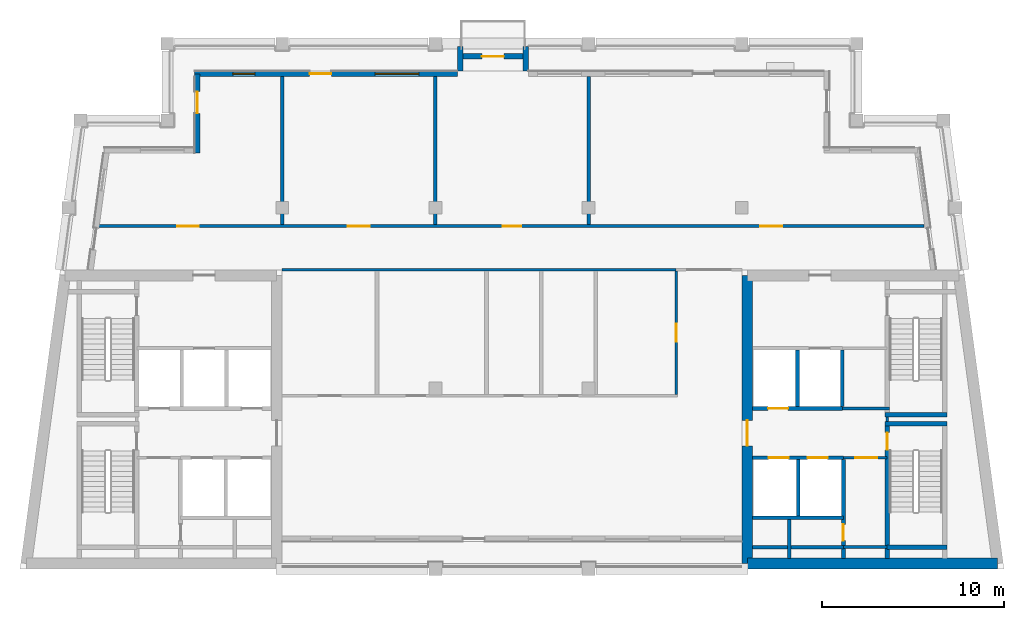
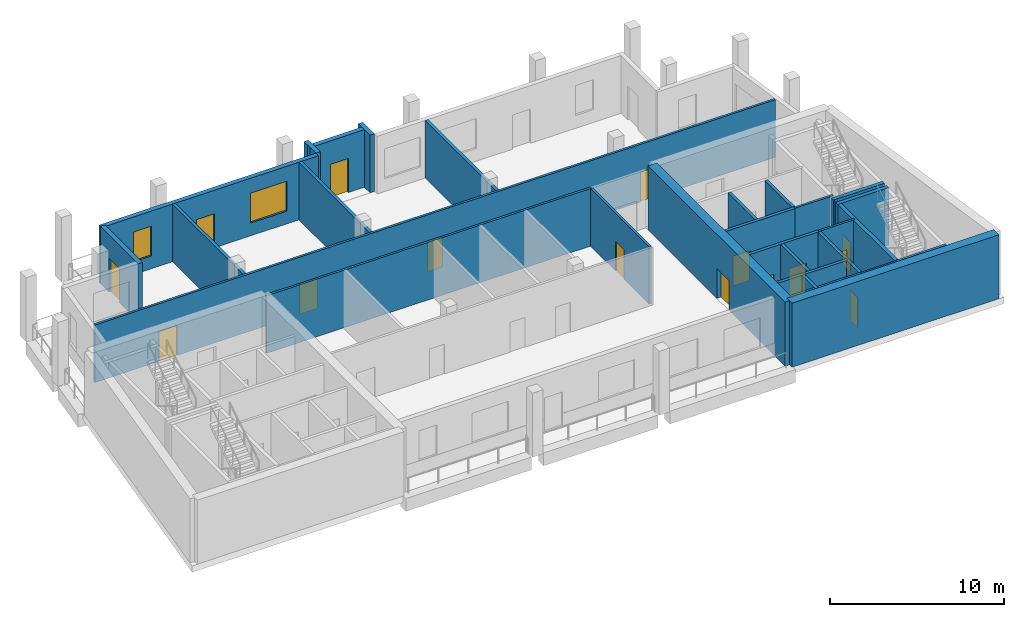
# One storey, part 3 of 9: 30 walls, 15 doors, 2 windows, 17 openings.
"""IFC4 building model written with IfcOpenShell, lengths in metres."""

from ifc_helpers import new_model, si_unit, direction, frame, frame_2d, origin, place, context, subcontext, project, spatial, rectangle, extrude, material, layer, layer_set, type_object, element, fill, save


model = new_model("IFC4")

# Units and contexts
model_context = context("Model", 3, precision=1e-05, world=origin(), true_north=direction((0.0, 1.0)))
body_context = subcontext(model_context, "Body", "Model", "MODEL_VIEW")
ifc_project = project(units=[si_unit("LENGTHUNIT", "METRE"), si_unit("AREAUNIT", "SQUARE_METRE"), si_unit("VOLUMEUNIT", "CUBIC_METRE"), si_unit("PLANEANGLEUNIT", "RADIAN"), si_unit("MASSUNIT", "GRAM", prefix="KILO")], contexts=[model_context])

# Site, building, storey
site_placement = place(None, origin())
site = spatial("IfcSite", under=ifc_project, at=site_placement, CompositionType="ELEMENT")
building_placement = place(site_placement, origin())
building = spatial("IfcBuilding", under=site, at=building_placement, Name="Candeia Pilgrim Tower and Theatre", CompositionType="ELEMENT")
storey_placement = place(building_placement, frame((0.0, 0.0, 303.39990234375)))
storey = spatial("IfcBuildingStorey", under=building, at=storey_placement, Name="L74", CompositionType="ELEMENT", Elevation=303.39990234375)

# Wall
ifc_material_1 = material(Name="Concrete C40/50", Category="concrete")
ifc_layer_1 = layer(ifc_material_1, 0.60009765625)
ifc_layer_set_1 = layer_set([ifc_layer_1], Name="Core wall 600 C40/50")
wall_type_1 = type_object("IfcWallType", Name="Core wall 600 C40/50", PredefinedType="SHEAR", material=ifc_layer_set_1)
wall_1_placement = place(storey_placement, frame((140.033935546875, 116.300048828125, 0.0), z_axis=(0.0, 0.0, 1.0), x_axis=(-1.0, 0.0, 0.0)))
element("IfcWall", 1, at=wall_1_placement, inside=storey, type_object=wall_type_1, Name="Core wall E3", PredefinedType="SHEAR", context=body_context, shape_type="SweptSolid", body=[
    extrude(rectangle(XDim=13.73388671875, YDim=0.60009765625, at=frame_2d((6.866943359375, 0.0))), origin(), (0.0, 0.0, 1.0), 4.5),
])

# Wall, opening, door
wall_2_placement = place(storey_placement, frame((126.300048828125, 116.300048828125, 0.0), z_axis=(0.0, 0.0, 1.0), x_axis=(0.0, 1.0, 0.0)))
wall_2 = element("IfcWall", 2, at=wall_2_placement, inside=storey, type_object=wall_type_1, Name="Core wall E4", PredefinedType="SHEAR", context=body_context, shape_type="SweptSolid", body=[
    extrude(rectangle(XDim=15.800048828125, YDim=0.60009765625, at=frame_2d((7.89990234375, 0.0))), origin(), (0.0, 0.0, 1.0), 4.5),
])
opening_1_placement = place(wall_2_placement, frame((6.449951171875, 0.0, 0.0)))
opening_1 = element("IfcOpeningElement", 3, at=opening_1_placement, cuts=wall_2, Name="Opening L74-D022", PredefinedType="OPENING", context=body_context, shape_type="SweptSolid", body=[
    extrude(rectangle(XDim=1.39990234375, YDim=2.10009765625, at=frame_2d((0.699951171875, 1.050048828125))), frame((0.0, 0.31005859375, 0.0), z_axis=(0.0, -1.0, 0.0), x_axis=(1.0, 0.0, 0.0)), (0.0, 0.0, 1.0), 0.6201171875),
])
ifc_material_2 = material(Name="Steel fire door set", Category="steel")
door_type_1 = type_object("IfcDoorType", Name="D-1400-FD60", OperationType="NOTDEFINED", PredefinedType="DOOR", material=ifc_material_2)
door_1_placement = place(opening_1_placement, origin())
door_1 = element("IfcDoor", 4, at=door_1_placement, inside=storey, type_object=door_type_1, Name="Door L74-D022", OperationType="SINGLE_SWING_LEFT", OverallHeight=2.10009765625, OverallWidth=1.39990234375, PredefinedType="DOOR", context=body_context, shape_type="SweptSolid", body=[
    extrude(rectangle(XDim=1.39990234375, YDim=2.10009765625, at=frame_2d((0.699951171875, 1.050048828125))), frame((0.0, 0.02490234375, 0.0), z_axis=(0.0, -1.0, 0.0), x_axis=(1.0, 0.0, 0.0)), (0.0, 0.0, 1.0), 0.050048828125),
])
fill(opening_1, door_1)

# Wall, openings, door, windows
ifc_material_3 = material(Name="Ceramic block masonry", Category="masonry")
ifc_layer_2 = layer(ifc_material_3, 0.300048828125)
ifc_layer_set_2 = layer_set([ifc_layer_2], Name="EW1 glazing-line wall 300")
wall_type_2 = type_object("IfcWallType", Name="EW1 glazing-line wall 300", PredefinedType="SOLIDWALL", material=ifc_layer_set_2)
wall_3_placement = place(storey_placement, frame((110.39990234375, 143.14990234375, 0.0), z_axis=(0.0, 0.0, 1.0), x_axis=(-1.0, 0.0, 0.0)))
wall_3 = element("IfcWall", 5, at=wall_3_placement, inside=storey, type_object=wall_type_2, Name="External wall L74-5.1", PredefinedType="SOLIDWALL", context=body_context, shape_type="SweptSolid", body=[
    extrude(rectangle(XDim=14.39990234375, YDim=0.300048828125, at=frame_2d((7.199951171875, 0.0))), origin(), (0.0, 0.0, 1.0), 4.050048828125),
])
opening_2_placement = place(wall_3_placement, frame((2.10009765625, 0.0, 0.89990234375)))
opening_2 = element("IfcOpeningElement", 6, at=opening_2_placement, cuts=wall_3, Name="Opening W-A", PredefinedType="OPENING", context=body_context, shape_type="SweptSolid", body=[
    extrude(rectangle(XDim=2.39990234375, YDim=2.10009765625, at=frame_2d((1.199951171875, 1.050048828125))), frame((0.0, 0.16015625, 0.0), z_axis=(0.0, -1.0, 0.0), x_axis=(1.0, 0.0, 0.0)), (0.0, 0.0, 1.0), 0.320068359375),
])
opening_3_placement = place(wall_3_placement, frame((6.89990234375, 0.0, 0.0)))
opening_3 = element("IfcOpeningElement", 7, at=opening_3_placement, cuts=wall_3, Name="Opening L74-ED688", PredefinedType="OPENING", context=body_context, shape_type="SweptSolid", body=[
    extrude(rectangle(XDim=1.199951171875, YDim=2.39990234375, at=frame_2d((0.60009765625, 1.199951171875))), frame((0.0, 0.16015625, 0.0), z_axis=(0.0, -1.0, 0.0), x_axis=(1.0, 0.0, 0.0)), (0.0, 0.0, 1.0), 0.320068359375),
])
opening_4_placement = place(wall_3_placement, frame((11.10009765625, 0.0, 0.89990234375)))
opening_4 = element("IfcOpeningElement", 8, at=opening_4_placement, cuts=wall_3, Name="Opening W-B", PredefinedType="OPENING", context=body_context, shape_type="SweptSolid", body=[
    extrude(rectangle(XDim=1.199951171875, YDim=2.10009765625, at=frame_2d((0.60009765625, 1.050048828125))), frame((0.0, 0.16015625, 0.0), z_axis=(0.0, -1.0, 0.0), x_axis=(1.0, 0.0, 0.0)), (0.0, 0.0, 1.0), 0.320068359375),
])
ifc_material_4 = material(Name="Aluminium framed glazed door", Category="aluminium")
door_type_2 = type_object("IfcDoorType", Name="Loggia door 1200x2400", OperationType="DOUBLE_DOOR_SINGLE_SWING", PredefinedType="DOOR", material=ifc_material_4)
door_2_placement = place(opening_3_placement, origin())
door_2 = element("IfcDoor", 9, at=door_2_placement, inside=storey, type_object=door_type_2, Name="Loggia door L74-ED688", OperationType="DOUBLE_DOOR_SINGLE_SWING", OverallHeight=2.39990234375, OverallWidth=1.199951171875, PredefinedType="DOOR", context=body_context, shape_type="SweptSolid", body=[
    extrude(rectangle(XDim=1.199951171875, YDim=2.39990234375, at=frame_2d((0.60009765625, 1.199951171875))), frame((0.0, 0.02490234375, 0.0), z_axis=(0.0, -1.0, 0.0), x_axis=(1.0, 0.0, 0.0)), (0.0, 0.0, 1.0), 0.050048828125),
])
fill(opening_3, door_2)
ifc_material_5 = material(Name="Aluminium framed double glazing", Category="aluminium")
window_type_1 = type_object("IfcWindowType", Name="W-A window 2400x2100", PartitioningType="DOUBLE_PANEL_VERTICAL", PredefinedType="WINDOW", material=ifc_material_5)
window_1_placement = place(opening_2_placement, origin())
window_1 = element("IfcWindow", 10, at=window_1_placement, inside=storey, type_object=window_type_1, Name="Window W-A L74", OverallHeight=2.10009765625, OverallWidth=2.39990234375, PartitioningType="SINGLE_PANEL", PredefinedType="WINDOW", context=body_context, shape_type="SweptSolid", body=[
    extrude(rectangle(XDim=2.39990234375, YDim=2.10009765625, at=frame_2d((1.199951171875, 1.050048828125))), frame((0.0, 0.030029296875, 0.0), z_axis=(0.0, -1.0, 0.0), x_axis=(1.0, 0.0, 0.0)), (0.0, 0.0, 1.0), 0.06005859375),
])
fill(opening_2, window_1)
window_type_2 = type_object("IfcWindowType", Name="W-B window 1200x2100", PartitioningType="SINGLE_PANEL", PredefinedType="WINDOW", material=ifc_material_5)
window_2_placement = place(opening_4_placement, origin())
window_2 = element("IfcWindow", 11, at=window_2_placement, inside=storey, type_object=window_type_2, Name="Window W-B L74", OverallHeight=2.10009765625, OverallWidth=1.199951171875, PartitioningType="SINGLE_PANEL", PredefinedType="WINDOW", context=body_context, shape_type="SweptSolid", body=[
    extrude(rectangle(XDim=1.199951171875, YDim=2.10009765625, at=frame_2d((0.60009765625, 1.050048828125))), frame((0.0, 0.030029296875, 0.0), z_axis=(0.0, -1.0, 0.0), x_axis=(1.0, 0.0, 0.0)), (0.0, 0.0, 1.0), 0.06005859375),
])
fill(opening_4, window_2)

# Wall, opening, door
wall_4_placement = place(storey_placement, frame((96.14990234375, 143.14990234375, 0.0), z_axis=(0.0, 0.0, 1.0), x_axis=(0.0, -1.0, 0.0)))
wall_4 = element("IfcWall", 12, at=wall_4_placement, inside=storey, type_object=wall_type_2, Name="External wall L74-6.0", PredefinedType="SOLIDWALL", context=body_context, shape_type="SweptSolid", body=[
    extrude(rectangle(XDim=4.349853515625, YDim=0.300048828125, at=frame_2d((2.1748046875, 0.0))), origin(), (0.0, 0.0, 1.0), 4.050048828125),
])
opening_5_placement = place(wall_4_placement, frame((0.97509765625, 0.0, 0.0)))
opening_5 = element("IfcOpeningElement", 13, at=opening_5_placement, cuts=wall_4, Name="Opening L74-ED690", PredefinedType="OPENING", context=body_context, shape_type="SweptSolid", body=[
    extrude(rectangle(XDim=1.199951171875, YDim=2.39990234375, at=frame_2d((0.60009765625, 1.199951171875))), frame((0.0, 0.16015625, 0.0), z_axis=(0.0, -1.0, 0.0), x_axis=(1.0, 0.0, 0.0)), (0.0, 0.0, 1.0), 0.320068359375),
])
door_3_placement = place(opening_5_placement, origin())
door_3 = element("IfcDoor", 14, at=door_3_placement, inside=storey, type_object=door_type_2, Name="Loggia door L74-ED690", OperationType="DOUBLE_DOOR_SINGLE_SWING", OverallHeight=2.39990234375, OverallWidth=1.199951171875, PredefinedType="DOOR", context=body_context, shape_type="SweptSolid", body=[
    extrude(rectangle(XDim=1.199951171875, YDim=2.39990234375, at=frame_2d((0.60009765625, 1.199951171875))), frame((0.0, 0.02490234375, 0.0), z_axis=(0.0, -1.0, 0.0), x_axis=(1.0, 0.0, 0.0)), (0.0, 0.0, 1.0), 0.050048828125),
])
fill(opening_5, door_3)

# Walls
ifc_layer_3 = layer(ifc_material_3, 0.300048828125)
ifc_layer_set_3 = layer_set([ifc_layer_3], Name="EW2 entrance infill wall 300")
wall_type_3 = type_object("IfcWallType", Name="EW2 entrance infill wall 300", PredefinedType="SOLIDWALL", material=ifc_layer_set_3)
for number, where, z_axis, x_axis, name in (
    (15, (114.14990234375, 143.300048828125, 0.0), (0.0, 0.0, 1.0), (0.0, 1.0, 0.0), "Alcove wall L74"),
    (16, (110.550048828125, 143.300048828125, 0.0), (0.0, 0.0, 1.0), (0.0, 1.0, 0.0), "Alcove wall L74"),
):
    element("IfcWall", number, at=place(storey_placement, frame(where, z_axis=z_axis, x_axis=x_axis)), inside=storey, type_object=wall_type_3, Name=name, PredefinedType="SOLIDWALL", context=body_context, shape_type="SweptSolid", body=[
        extrude(rectangle(XDim=1.349853515625, YDim=0.300048828125, at=frame_2d((0.6748046875, 0.0))), origin(), (0.0, 0.0, 1.0), 4.050048828125),
    ])

# Wall, opening, door
wall_5_placement = place(storey_placement, frame((114.300048828125, 144.10009765625, 0.0), z_axis=(0.0, 0.0, 1.0), x_axis=(-1.0, 0.0, 0.0)))
wall_5 = element("IfcWall", 17, at=wall_5_placement, inside=storey, type_object=wall_type_3, Name="Alcove wall L74", PredefinedType="SOLIDWALL", context=body_context, shape_type="SweptSolid", body=[
    extrude(rectangle(XDim=3.900146484375, YDim=0.300048828125, at=frame_2d((1.9501953125, 0.0))), origin(), (0.0, 0.0, 1.0), 4.050048828125),
])
opening_6_placement = place(wall_5_placement, frame((1.35009765625, 0.0, 0.0)))
opening_6 = element("IfcOpeningElement", 18, at=opening_6_placement, cuts=wall_5, Name="Opening L74-ED689", PredefinedType="OPENING", context=body_context, shape_type="SweptSolid", body=[
    extrude(rectangle(XDim=1.199951171875, YDim=2.39990234375, at=frame_2d((0.60009765625, 1.199951171875))), frame((0.0, 0.16015625, 0.0), z_axis=(0.0, -1.0, 0.0), x_axis=(1.0, 0.0, 0.0)), (0.0, 0.0, 1.0), 0.320068359375),
])
door_4_placement = place(opening_6_placement, origin())
door_4 = element("IfcDoor", 19, at=door_4_placement, inside=storey, type_object=door_type_2, Name="Balcony door L74-ED689", OperationType="DOUBLE_DOOR_SINGLE_SWING", OverallHeight=2.39990234375, OverallWidth=1.199951171875, PredefinedType="DOOR", context=body_context, shape_type="SweptSolid", body=[
    extrude(rectangle(XDim=1.199951171875, YDim=2.39990234375, at=frame_2d((0.60009765625, 1.199951171875))), frame((0.0, 0.02490234375, 0.0), z_axis=(0.0, -1.0, 0.0), x_axis=(1.0, 0.0, 0.0)), (0.0, 0.0, 1.0), 0.050048828125),
])
fill(opening_6, door_4)

# Wall
ifc_material_6 = material(Name="Gypsum board partition on steel studs", Category="steel")
ifc_layer_4 = layer(ifc_material_6, 0.14990234375)
ifc_layer_set_4 = layer_set([ifc_layer_4], Name="PW-150 lobby wall")
wall_type_4 = type_object("IfcWallType", Name="PW-150 lobby wall", PredefinedType="PARTITIONING", material=ifc_layer_set_4)
wall_6_placement = place(storey_placement, frame((131.572998046875, 117.199951171875, 0.0), z_axis=(0.0, 0.0, 1.0), x_axis=(1.0, 0.0, 0.0)))
element("IfcWall", 20, at=wall_6_placement, inside=storey, type_object=wall_type_4, Name="Lobby wall L74-004", PredefinedType="PARTITIONING", context=body_context, shape_type="SweptSolid", body=[
    extrude(rectangle(XDim=2.39990234375, YDim=0.14990234375, at=frame_2d((1.199951171875, 0.0))), origin(), (0.0, 0.0, 1.0), 4.050048828125),
])

# Wall, opening, door
wall_7_placement = place(storey_placement, frame((131.572998046875, 122.10009765625, 0.0), z_axis=(0.0, 0.0, 1.0), x_axis=(1.0, 0.0, 0.0)))
wall_7 = element("IfcWall", 21, at=wall_7_placement, inside=storey, type_object=wall_type_4, Name="Lobby wall L74-012", PredefinedType="PARTITIONING", context=body_context, shape_type="SweptSolid", body=[
    extrude(rectangle(XDim=2.39990234375, YDim=0.14990234375, at=frame_2d((1.199951171875, 0.0))), origin(), (0.0, 0.0, 1.0), 4.050048828125),
])
opening_7_placement = place(wall_7_placement, frame((0.64990234375, 0.0, 0.0)))
opening_7 = element("IfcOpeningElement", 22, at=opening_7_placement, cuts=wall_7, Name="Opening L74-D015", PredefinedType="OPENING", context=body_context, shape_type="SweptSolid", body=[
    extrude(rectangle(XDim=1.199951171875, YDim=2.10009765625, at=frame_2d((0.60009765625, 1.050048828125))), frame((0.0, 0.0849609375, 0.0), z_axis=(0.0, -1.0, 0.0), x_axis=(1.0, 0.0, 0.0)), (0.0, 0.0, 1.0), 0.169921875),
])
door_type_3 = type_object("IfcDoorType", Name="D-1200-FD60", OperationType="NOTDEFINED", PredefinedType="DOOR", material=ifc_material_2)
door_5_placement = place(opening_7_placement, origin())
door_5 = element("IfcDoor", 23, at=door_5_placement, inside=storey, type_object=door_type_3, Name="Door L74-D015", OperationType="SINGLE_SWING_RIGHT", OverallHeight=2.10009765625, OverallWidth=1.199951171875, PredefinedType="DOOR", context=body_context, shape_type="SweptSolid", body=[
    extrude(rectangle(XDim=1.199951171875, YDim=2.10009765625, at=frame_2d((0.60009765625, 1.050048828125))), frame((0.0, 0.02490234375, 0.0), z_axis=(0.0, -1.0, 0.0), x_axis=(1.0, 0.0, 0.0)), (0.0, 0.0, 1.0), 0.050048828125),
])
fill(opening_7, door_5)

# Wall
wall_8_placement = place(storey_placement, frame((131.515380859375, 124.800048828125, 0.0), z_axis=(0.0, 0.0, 1.0), x_axis=(1.0, 0.0, 0.0)))
element("IfcWall", 24, at=wall_8_placement, inside=storey, type_object=wall_type_4, Name="Lobby wall L74-019", PredefinedType="PARTITIONING", context=body_context, shape_type="SweptSolid", body=[
    extrude(rectangle(XDim=2.58251953125, YDim=0.14990234375, at=frame_2d((1.291259765625, 0.0))), origin(), (0.0, 0.0, 1.0), 4.050048828125),
])

# Wall, opening, door
wall_9_placement = place(storey_placement, frame((122.39990234375, 125.574951171875, 0.0), z_axis=(0.0, 0.0, 1.0), x_axis=(0.0, 1.0, 0.0)))
wall_9 = element("IfcWall", 25, at=wall_9_placement, inside=storey, type_object=wall_type_4, Name="Lobby wall L74-046", PredefinedType="PARTITIONING", context=body_context, shape_type="SweptSolid", body=[
    extrude(rectangle(XDim=6.75, YDim=0.14990234375, at=frame_2d((3.375, 0.0))), origin(), (0.0, 0.0, 1.0), 4.050048828125),
])
opening_8_placement = place(wall_9_placement, frame((2.875, 0.0, 0.0)))
opening_8 = element("IfcOpeningElement", 26, at=opening_8_placement, cuts=wall_9, Name="Opening L74-D006", PredefinedType="OPENING", context=body_context, shape_type="SweptSolid", body=[
    extrude(rectangle(XDim=1.0, YDim=2.10009765625, at=frame_2d((0.5, 1.050048828125))), frame((0.0, 0.0849609375, 0.0), z_axis=(0.0, -1.0, 0.0), x_axis=(1.0, 0.0, 0.0)), (0.0, 0.0, 1.0), 0.169921875),
])
door_type_4 = type_object("IfcDoorType", Name="D-1000-FD30S", OperationType="NOTDEFINED", PredefinedType="DOOR", material=ifc_material_2)
door_6_placement = place(opening_8_placement, origin())
door_6 = element("IfcDoor", 27, at=door_6_placement, inside=storey, type_object=door_type_4, Name="Door L74-D006", OperationType="SINGLE_SWING_RIGHT", OverallHeight=2.10009765625, OverallWidth=1.0, PredefinedType="DOOR", context=body_context, shape_type="SweptSolid", body=[
    extrude(rectangle(XDim=1.0, YDim=2.10009765625, at=frame_2d((0.5, 1.050048828125))), frame((0.0, 0.02490234375, 0.0), z_axis=(0.0, -1.0, 0.0), x_axis=(1.0, 0.0, 0.0)), (0.0, 0.0, 1.0), 0.050048828125),
])
fill(opening_8, door_6)

# Walls
wall_10_placement = place(storey_placement, frame((133.972900390625, 124.074951171875, 0.0), z_axis=(0.0, 0.0, 1.0), x_axis=(0.0, 1.0, 0.0)))
element("IfcWall", 28, at=wall_10_placement, inside=storey, type_object=wall_type_4, Name="Lobby wall L74-052", PredefinedType="PARTITIONING", context=body_context, shape_type="SweptSolid", body=[
    extrude(rectangle(XDim=0.25, YDim=0.14990234375, at=frame_2d((0.125, 0.0))), origin(), (0.0, 0.0, 1.0), 4.050048828125),
])
ifc_layer_5 = layer(ifc_material_6, 0.14990234375)
ifc_layer_set_5 = layer_set([ifc_layer_5], Name="PW-150 unit wall")
wall_type_5 = type_object("IfcWallType", Name="PW-150 unit wall", PredefinedType="PARTITIONING", material=ifc_layer_set_5)
wall_11_placement = place(storey_placement, frame((100.800048828125, 132.39990234375, 0.0), z_axis=(0.0, 0.0, 1.0), x_axis=(1.0, 0.0, 0.0)))
element("IfcWall", 29, at=wall_11_placement, inside=storey, type_object=wall_type_5, Name="Unit wall L74-027", PredefinedType="PARTITIONING", context=body_context, shape_type="SweptSolid", body=[
    extrude(rectangle(XDim=21.599853515625, YDim=0.14990234375, at=frame_2d((10.7998046875, 0.0))), origin(), (0.0, 0.0, 1.0), 4.050048828125),
])

# Wall, openings, doors
wall_12_placement = place(storey_placement, frame((90.760009765625, 134.800048828125, 0.0), z_axis=(0.0, 0.0, 1.0), x_axis=(1.0, 0.0, 0.0)))
wall_12 = element("IfcWall", 30, at=wall_12_placement, inside=storey, type_object=wall_type_5, Name="Unit wall L74-028", PredefinedType="PARTITIONING", context=body_context, shape_type="SweptSolid", body=[
    extrude(rectangle(XDim=45.239990234375, YDim=0.14990234375, at=frame_2d((22.6201171875, 0.0))), origin(), (0.0, 0.0, 1.0), 4.050048828125),
])
opening_9_placement = place(wall_12_placement, frame((13.639892578125, 0.0, 0.0)))
opening_9 = element("IfcOpeningElement", 31, at=opening_9_placement, cuts=wall_12, Name="Opening L74-D007", PredefinedType="OPENING", context=body_context, shape_type="SweptSolid", body=[
    extrude(rectangle(XDim=1.199951171875, YDim=2.10009765625, at=frame_2d((0.60009765625, 1.050048828125))), frame((0.0, 0.0849609375, 0.0), z_axis=(0.0, -1.0, 0.0), x_axis=(1.0, 0.0, 0.0)), (0.0, 0.0, 1.0), 0.169921875),
])
opening_10_placement = place(wall_12_placement, frame((22.139892578125, 0.0, 0.0)))
opening_10 = element("IfcOpeningElement", 32, at=opening_10_placement, cuts=wall_12, Name="Opening L74-D008", PredefinedType="OPENING", context=body_context, shape_type="SweptSolid", body=[
    extrude(rectangle(XDim=1.0, YDim=2.10009765625, at=frame_2d((0.5, 1.050048828125))), frame((0.0, 0.0849609375, 0.0), z_axis=(0.0, -1.0, 0.0), x_axis=(1.0, 0.0, 0.0)), (0.0, 0.0, 1.0), 0.169921875),
])
opening_11_placement = place(wall_12_placement, frame((4.27392578125, 0.0, 0.0)))
opening_11 = element("IfcOpeningElement", 33, at=opening_11_placement, cuts=wall_12, Name="Opening L74-D009", PredefinedType="OPENING", context=body_context, shape_type="SweptSolid", body=[
    extrude(rectangle(XDim=1.199951171875, YDim=2.10009765625, at=frame_2d((0.60009765625, 1.050048828125))), frame((0.0, 0.0849609375, 0.0), z_axis=(0.0, -1.0, 0.0), x_axis=(1.0, 0.0, 0.0)), (0.0, 0.0, 1.0), 0.169921875),
])
opening_12_placement = place(wall_12_placement, frame((36.264892578125, 0.0, 0.0)))
opening_12 = element("IfcOpeningElement", 34, at=opening_12_placement, cuts=wall_12, Name="Opening L74-D010", PredefinedType="OPENING", context=body_context, shape_type="SweptSolid", body=[
    extrude(rectangle(XDim=1.199951171875, YDim=2.10009765625, at=frame_2d((0.60009765625, 1.050048828125))), frame((0.0, 0.0849609375, 0.0), z_axis=(0.0, -1.0, 0.0), x_axis=(1.0, 0.0, 0.0)), (0.0, 0.0, 1.0), 0.169921875),
])
door_7_placement = place(opening_10_placement, origin())
door_7 = element("IfcDoor", 35, at=door_7_placement, inside=storey, type_object=door_type_4, Name="Door L74-D008", OperationType="SINGLE_SWING_RIGHT", OverallHeight=2.10009765625, OverallWidth=1.0, PredefinedType="DOOR", context=body_context, shape_type="SweptSolid", body=[
    extrude(rectangle(XDim=1.0, YDim=2.10009765625, at=frame_2d((0.5, 1.050048828125))), frame((0.0, 0.02490234375, 0.0), z_axis=(0.0, -1.0, 0.0), x_axis=(1.0, 0.0, 0.0)), (0.0, 0.0, 1.0), 0.050048828125),
])
fill(opening_10, door_7)
door_type_5 = type_object("IfcDoorType", Name="D-1200-FD30S", OperationType="NOTDEFINED", PredefinedType="DOOR", material=ifc_material_2)
door_8_placement = place(opening_9_placement, origin())
door_8 = element("IfcDoor", 36, at=door_8_placement, inside=storey, type_object=door_type_5, Name="Door L74-D007", OperationType="SINGLE_SWING_LEFT", OverallHeight=2.10009765625, OverallWidth=1.199951171875, PredefinedType="DOOR", context=body_context, shape_type="SweptSolid", body=[
    extrude(rectangle(XDim=1.199951171875, YDim=2.10009765625, at=frame_2d((0.60009765625, 1.050048828125))), frame((0.0, 0.02490234375, 0.0), z_axis=(0.0, -1.0, 0.0), x_axis=(1.0, 0.0, 0.0)), (0.0, 0.0, 1.0), 0.050048828125),
])
fill(opening_9, door_8)
door_9_placement = place(opening_11_placement, origin())
door_9 = element("IfcDoor", 37, at=door_9_placement, inside=storey, type_object=door_type_3, Name="Door L74-D009", OperationType="SINGLE_SWING_LEFT", OverallHeight=2.10009765625, OverallWidth=1.199951171875, PredefinedType="DOOR", context=body_context, shape_type="SweptSolid", body=[
    extrude(rectangle(XDim=1.199951171875, YDim=2.10009765625, at=frame_2d((0.60009765625, 1.050048828125))), frame((0.0, 0.02490234375, 0.0), z_axis=(0.0, -1.0, 0.0), x_axis=(1.0, 0.0, 0.0)), (0.0, 0.0, 1.0), 0.050048828125),
])
fill(opening_11, door_9)
door_10_placement = place(opening_12_placement, origin())
door_10 = element("IfcDoor", 38, at=door_10_placement, inside=storey, type_object=door_type_3, Name="Door L74-D010", OperationType="SINGLE_SWING_RIGHT", OverallHeight=2.10009765625, OverallWidth=1.199951171875, PredefinedType="DOOR", context=body_context, shape_type="SweptSolid", body=[
    extrude(rectangle(XDim=1.199951171875, YDim=2.10009765625, at=frame_2d((0.60009765625, 1.050048828125))), frame((0.0, 0.02490234375, 0.0), z_axis=(0.0, -1.0, 0.0), x_axis=(1.0, 0.0, 0.0)), (0.0, 0.0, 1.0), 0.050048828125),
])
fill(opening_12, door_10)

# Walls
ifc_layer_6 = layer(ifc_material_6, 0.199951171875)
ifc_layer_set_6 = layer_set([ifc_layer_6], Name="PW-200 party wall")
wall_type_6 = type_object("IfcWallType", Name="PW-200 party wall", PredefinedType="PARTITIONING", material=ifc_layer_set_6)
for number, where, z_axis, x_axis, name in (
    (39, (100.800048828125, 134.875, 0.0), (0.0, 0.0, 1.0), (0.0, 1.0, 0.0), "Party wall L74-039"),
    (40, (109.199951171875, 134.875, 0.0), (0.0, 0.0, 1.0), (0.0, 1.0, 0.0), "Party wall L74-041"),
    (41, (117.60009765625, 134.875, 0.0), (0.0, 0.0, 1.0), (0.0, 1.0, 0.0), "Party wall L74-044"),
):
    element("IfcWall", number, at=place(storey_placement, frame(where, z_axis=z_axis, x_axis=x_axis)), inside=storey, type_object=wall_type_6, Name=name, PredefinedType="PARTITIONING", context=body_context, shape_type="SweptSolid", body=[
        extrude(rectangle(XDim=8.135009765625, YDim=0.199951171875, at=frame_2d((4.0673828125, 0.0))), origin(), (0.0, 0.0, 1.0), 4.050048828125),
    ])
ifc_layer_7 = layer(ifc_material_1, 0.199951171875)
ifc_layer_set_7 = layer_set([ifc_layer_7], Name="SW-200 shaft wall")
wall_type_7 = type_object("IfcWallType", Name="SW-200 shaft wall", PredefinedType="PARTITIONING", material=ifc_layer_set_7)
for number, where, z_axis, x_axis, name in (
    (42, (126.60009765625, 117.199951171875, 0.0), (0.0, 0.0, 1.0), (1.0, 0.0, 0.0), "Shaft wall L74-002"),
    (43, (126.60009765625, 118.800048828125, 0.0), (0.0, 0.0, 1.0), (1.0, 0.0, 0.0), "Shaft wall L74-008"),
):
    element("IfcWall", number, at=place(storey_placement, frame(where, z_axis=z_axis, x_axis=x_axis)), inside=storey, type_object=wall_type_7, Name=name, PredefinedType="PARTITIONING", context=body_context, shape_type="SweptSolid", body=[
        extrude(rectangle(XDim=4.972900390625, YDim=0.199951171875, at=frame_2d((2.486328125, 0.0))), origin(), (0.0, 0.0, 1.0), 4.050048828125),
    ])

# Wall, openings, doors
wall_13_placement = place(storey_placement, frame((126.60009765625, 122.10009765625, 0.0), z_axis=(0.0, 0.0, 1.0), x_axis=(1.0, 0.0, 0.0)))
wall_13 = element("IfcWall", 44, at=wall_13_placement, inside=storey, type_object=wall_type_7, Name="Shaft wall L74-010", PredefinedType="PARTITIONING", context=body_context, shape_type="SweptSolid", body=[
    extrude(rectangle(XDim=4.972900390625, YDim=0.199951171875, at=frame_2d((2.486328125, 0.0))), origin(), (0.0, 0.0, 1.0), 4.050048828125),
])
opening_13_placement = place(wall_13_placement, frame((3.008056640625, 0.0, 0.0)))
opening_13 = element("IfcOpeningElement", 45, at=opening_13_placement, cuts=wall_13, Name="Opening L74-LD06", PredefinedType="OPENING", context=body_context, shape_type="SweptSolid", body=[
    extrude(rectangle(XDim=1.10009765625, YDim=2.10009765625, at=frame_2d((0.550048828125, 1.050048828125))), frame((0.0, 0.10986328125, 0.0), z_axis=(0.0, -1.0, 0.0), x_axis=(1.0, 0.0, 0.0)), (0.0, 0.0, 1.0), 0.219970703125),
])
opening_14_placement = place(wall_13_placement, frame((0.864990234375, 0.0, 0.0)))
opening_14 = element("IfcOpeningElement", 46, at=opening_14_placement, cuts=wall_13, Name="Opening L74-LD07", PredefinedType="OPENING", context=body_context, shape_type="SweptSolid", body=[
    extrude(rectangle(XDim=1.10009765625, YDim=2.10009765625, at=frame_2d((0.550048828125, 1.050048828125))), frame((0.0, 0.10986328125, 0.0), z_axis=(0.0, -1.0, 0.0), x_axis=(1.0, 0.0, 0.0)), (0.0, 0.0, 1.0), 0.219970703125),
])
ifc_material_7 = material(Name="Glazed aluminium landing door", Category="aluminium")
door_type_6 = type_object("IfcDoorType", Name="LD-1100-EI120", OperationType="SLIDING_TO_LEFT", PredefinedType="DOOR", material=ifc_material_7)
door_11_placement = place(opening_13_placement, origin())
door_11 = element("IfcDoor", 47, at=door_11_placement, inside=storey, type_object=door_type_6, Name="Landing door 06 L74", OperationType="SLIDING_TO_LEFT", OverallHeight=2.10009765625, OverallWidth=1.10009765625, PredefinedType="DOOR", context=body_context, shape_type="SweptSolid", body=[
    extrude(rectangle(XDim=1.10009765625, YDim=2.10009765625, at=frame_2d((0.550048828125, 1.050048828125))), frame((0.0, 0.02490234375, 0.0), z_axis=(0.0, -1.0, 0.0), x_axis=(1.0, 0.0, 0.0)), (0.0, 0.0, 1.0), 0.050048828125),
])
fill(opening_13, door_11)
door_12_placement = place(opening_14_placement, origin())
door_12 = element("IfcDoor", 48, at=door_12_placement, inside=storey, type_object=door_type_6, Name="Landing door 07 L74", OperationType="SLIDING_TO_LEFT", OverallHeight=2.10009765625, OverallWidth=1.10009765625, PredefinedType="DOOR", context=body_context, shape_type="SweptSolid", body=[
    extrude(rectangle(XDim=1.10009765625, YDim=2.10009765625, at=frame_2d((0.550048828125, 1.050048828125))), frame((0.0, 0.02490234375, 0.0), z_axis=(0.0, -1.0, 0.0), x_axis=(1.0, 0.0, 0.0)), (0.0, 0.0, 1.0), 0.050048828125),
])
fill(opening_14, door_12)

# Wall, opening, door
wall_14_placement = place(storey_placement, frame((126.60009765625, 124.800048828125, 0.0), z_axis=(0.0, 0.0, 1.0), x_axis=(1.0, 0.0, 0.0)))
wall_14 = element("IfcWall", 49, at=wall_14_placement, inside=storey, type_object=wall_type_7, Name="Shaft wall L74-018", PredefinedType="PARTITIONING", context=body_context, shape_type="SweptSolid", body=[
    extrude(rectangle(XDim=4.915283203125, YDim=0.199951171875, at=frame_2d((2.45751953125, 0.0))), origin(), (0.0, 0.0, 1.0), 4.050048828125),
])
opening_15_placement = place(wall_14_placement, frame((0.843017578125, 0.0, 0.0)))
opening_15 = element("IfcOpeningElement", 50, at=opening_15_placement, cuts=wall_14, Name="Opening L74-LD09", PredefinedType="OPENING", context=body_context, shape_type="SweptSolid", body=[
    extrude(rectangle(XDim=1.10009765625, YDim=2.10009765625, at=frame_2d((0.550048828125, 1.050048828125))), frame((0.0, 0.10986328125, 0.0), z_axis=(0.0, -1.0, 0.0), x_axis=(1.0, 0.0, 0.0)), (0.0, 0.0, 1.0), 0.219970703125),
])
door_13_placement = place(opening_15_placement, origin())
door_13 = element("IfcDoor", 51, at=door_13_placement, inside=storey, type_object=door_type_6, Name="Landing door 09 L74", OperationType="SLIDING_TO_LEFT", OverallHeight=2.10009765625, OverallWidth=1.10009765625, PredefinedType="DOOR", context=body_context, shape_type="SweptSolid", body=[
    extrude(rectangle(XDim=1.10009765625, YDim=2.10009765625, at=frame_2d((0.550048828125, 1.050048828125))), frame((0.0, 0.02490234375, 0.0), z_axis=(0.0, -1.0, 0.0), x_axis=(1.0, 0.0, 0.0)), (0.0, 0.0, 1.0), 0.050048828125),
])
fill(opening_15, door_13)

# Walls
wall_15_placement = place(storey_placement, frame((128.60009765625, 116.570068359375, 0.0), z_axis=(0.0, 0.0, 1.0), x_axis=(0.0, 1.0, 0.0)))
element("IfcWall", 52, at=wall_15_placement, inside=storey, type_object=wall_type_7, Name="Shaft wall L74-047", PredefinedType="PARTITIONING", context=body_context, shape_type="SweptSolid", body=[
    extrude(rectangle(XDim=2.1298828125, YDim=0.199951171875, at=frame_2d((1.06494140625, 0.0))), origin(), (0.0, 0.0, 1.0), 4.050048828125),
])
for number, where, z_axis, x_axis, name in (
    (53, (129.0576171875, 124.89990234375, 0.0), (0.0, 0.0, 1.0), (0.0, 1.0, 0.0), "Shaft wall L74-048"),
    (54, (129.08642578125, 118.89990234375, 0.0), (0.0, 0.0, 1.0), (0.0, 1.0, 0.0), "Shaft wall L74-049"),
    (55, (131.515380859375, 124.89990234375, 0.0), (0.0, 0.0, 1.0), (0.0, 1.0, 0.0), "Shaft wall L74-050"),
):
    element("IfcWall", number, at=place(storey_placement, frame(where, z_axis=z_axis, x_axis=x_axis)), inside=storey, type_object=wall_type_7, Name=name, PredefinedType="PARTITIONING", context=body_context, shape_type="SweptSolid", body=[
        extrude(rectangle(XDim=3.10009765625, YDim=0.199951171875, at=frame_2d((1.550048828125, 0.0))), origin(), (0.0, 0.0, 1.0), 4.050048828125),
    ])

# Wall, opening, door
wall_16_placement = place(storey_placement, frame((131.572998046875, 116.570068359375, 0.0), z_axis=(0.0, 0.0, 1.0), x_axis=(0.0, 1.0, 0.0)))
wall_16 = element("IfcWall", 56, at=wall_16_placement, inside=storey, type_object=wall_type_7, Name="Shaft wall L74-051", PredefinedType="PARTITIONING", context=body_context, shape_type="SweptSolid", body=[
    extrude(rectangle(XDim=5.429931640625, YDim=0.199951171875, at=frame_2d((2.71484375, 0.0))), origin(), (0.0, 0.0, 1.0), 4.050048828125),
])
opening_16_placement = place(wall_16_placement, frame((0.97998046875, 0.0, 0.0)))
opening_16 = element("IfcOpeningElement", 57, at=opening_16_placement, cuts=wall_16, Name="Opening L74-D018", PredefinedType="OPENING", context=body_context, shape_type="SweptSolid", body=[
    extrude(rectangle(XDim=0.89990234375, YDim=2.10009765625, at=frame_2d((0.449951171875, 1.050048828125))), frame((0.0, 0.10986328125, 0.0), z_axis=(0.0, -1.0, 0.0), x_axis=(1.0, 0.0, 0.0)), (0.0, 0.0, 1.0), 0.219970703125),
])
door_type_7 = type_object("IfcDoorType", Name="D-900-FD60", OperationType="NOTDEFINED", PredefinedType="DOOR", material=ifc_material_2)
door_14_placement = place(opening_16_placement, origin())
door_14 = element("IfcDoor", 58, at=door_14_placement, inside=storey, type_object=door_type_7, Name="Door L74-D018", OperationType="SINGLE_SWING_LEFT", OverallHeight=2.10009765625, OverallWidth=0.89990234375, PredefinedType="DOOR", context=body_context, shape_type="SweptSolid", body=[
    extrude(rectangle(XDim=0.89990234375, YDim=2.10009765625, at=frame_2d((0.449951171875, 1.050048828125))), frame((0.0, 0.02490234375, 0.0), z_axis=(0.0, -1.0, 0.0), x_axis=(1.0, 0.0, 0.0)), (0.0, 0.0, 1.0), 0.050048828125),
])
fill(opening_16, door_14)

# Walls
ifc_layer_8 = layer(ifc_material_1, 0.25)
ifc_layer_set_8 = layer_set([ifc_layer_8], Name="SW-250 stair wall")
wall_type_8 = type_object("IfcWallType", Name="SW-250 stair wall", PredefinedType="PARTITIONING", material=ifc_layer_set_8)
wall_17_placement = place(storey_placement, frame((133.972900390625, 117.199951171875, 0.0), z_axis=(0.0, 0.0, 1.0), x_axis=(1.0, 0.0, 0.0)))
element("IfcWall", 59, at=wall_17_placement, inside=storey, type_object=wall_type_8, Name="Stair wall L74-006", PredefinedType="PARTITIONING", context=body_context, shape_type="SweptSolid", body=[
    extrude(rectangle(XDim=3.275146484375, YDim=0.25, at=frame_2d((1.6376953125, 0.0))), origin(), (0.0, 0.0, 1.0), 4.050048828125),
])
for number, where, z_axis, x_axis, name in (
    (60, (133.847900390625, 123.949951171875, 0.0), (0.0, 0.0, 1.0), (1.0, 0.0, 0.0), "Stair wall L74-014"),
    (61, (133.847900390625, 124.449951171875, 0.0), (0.0, 0.0, 1.0), (1.0, 0.0, 0.0), "Stair wall L74-016"),
):
    element("IfcWall", number, at=place(storey_placement, frame(where, z_axis=z_axis, x_axis=x_axis)), inside=storey, type_object=wall_type_8, Name=name, PredefinedType="PARTITIONING", context=body_context, shape_type="SweptSolid", body=[
        extrude(rectangle(XDim=3.400146484375, YDim=0.25, at=frame_2d((1.7001953125, 0.0))), origin(), (0.0, 0.0, 1.0), 4.050048828125),
    ])

# Wall, opening, door
wall_18_placement = place(storey_placement, frame((133.972900390625, 116.570068359375, 0.0), z_axis=(0.0, 0.0, 1.0), x_axis=(0.0, 1.0, 0.0)))
wall_18 = element("IfcWall", 62, at=wall_18_placement, inside=storey, type_object=wall_type_8, Name="Stair wall L74-053", PredefinedType="PARTITIONING", context=body_context, shape_type="SweptSolid", body=[
    extrude(rectangle(XDim=7.2548828125, YDim=0.25, at=frame_2d((3.62744140625, 0.0))), origin(), (0.0, 0.0, 1.0), 4.050048828125),
])
opening_17_placement = place(wall_18_placement, frame((5.955078125, 0.0, 0.0)))
opening_17 = element("IfcOpeningElement", 63, at=opening_17_placement, cuts=wall_18, Name="Opening L74-D016", PredefinedType="OPENING", context=body_context, shape_type="SweptSolid", body=[
    extrude(rectangle(XDim=0.949951171875, YDim=2.10009765625, at=frame_2d((0.47509765625, 1.050048828125))), frame((0.0, 0.135009765625, 0.0), z_axis=(0.0, -1.0, 0.0), x_axis=(1.0, 0.0, 0.0)), (0.0, 0.0, 1.0), 0.27001953125),
])
door_type_8 = type_object("IfcDoorType", Name="D-950-FD60", OperationType="NOTDEFINED", PredefinedType="DOOR", material=ifc_material_2)
door_15_placement = place(opening_17_placement, origin())
door_15 = element("IfcDoor", 64, at=door_15_placement, inside=storey, type_object=door_type_8, Name="Door L74-D016", OperationType="SINGLE_SWING_LEFT", OverallHeight=2.10009765625, OverallWidth=0.949951171875, PredefinedType="DOOR", context=body_context, shape_type="SweptSolid", body=[
    extrude(rectangle(XDim=0.949951171875, YDim=2.10009765625, at=frame_2d((0.47509765625, 1.050048828125))), frame((0.0, 0.02490234375, 0.0), z_axis=(0.0, -1.0, 0.0), x_axis=(1.0, 0.0, 0.0)), (0.0, 0.0, 1.0), 0.050048828125),
])
fill(opening_17, door_15)

save(model, "model.ifc")
